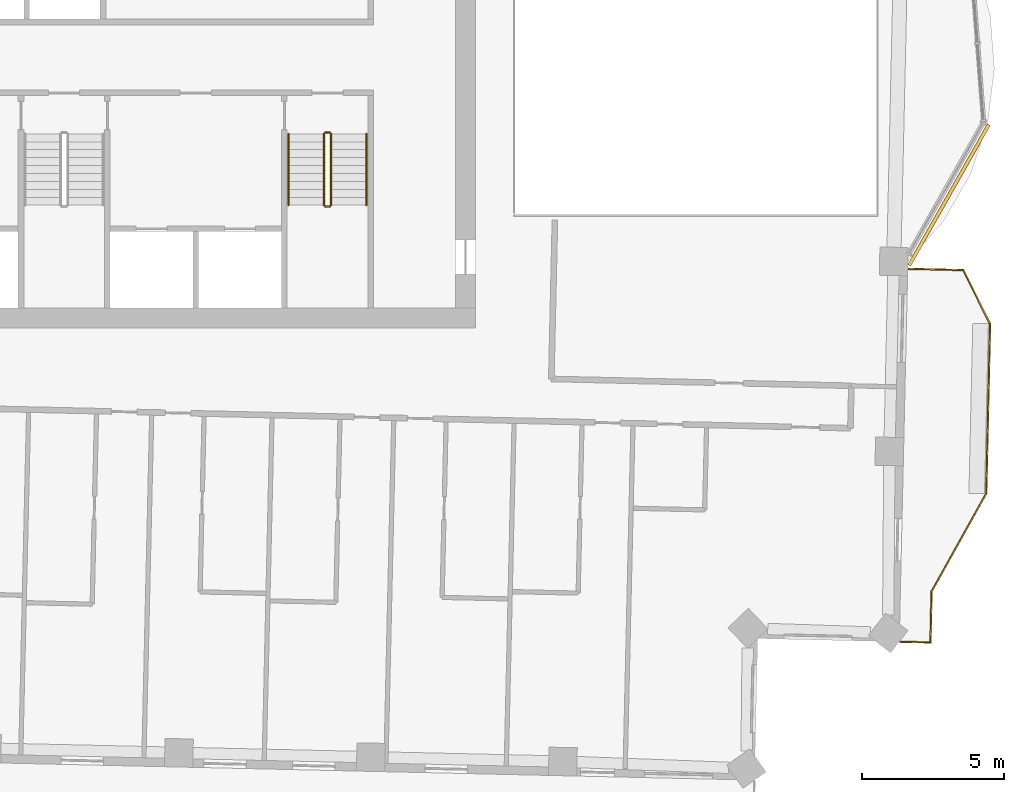
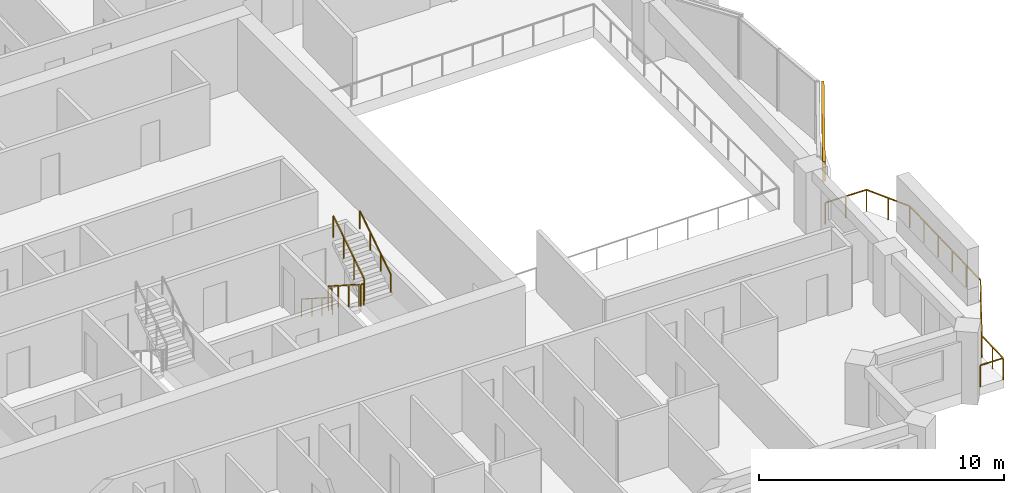
# One storey, part 16 of 17: 7 railings, 1 covering.
"""IFC4 building model written with IfcOpenShell, lengths in metres."""

from ifc_helpers import new_model, si_unit, direction, frame, frame_2d, origin, origin_2d, place, context, subcontext, project, spatial, rectangle, circle, extrude, material, layer, layer_set, type_object, element, save


model = new_model("IFC4")

# Units and contexts
model_context = context("Model", 3, precision=1e-05, world=origin(), true_north=direction((0.0, 1.0)))
body_context = subcontext(model_context, "Body", "Model", "MODEL_VIEW")
ifc_project = project(units=[si_unit("LENGTHUNIT", "METRE"), si_unit("AREAUNIT", "SQUARE_METRE"), si_unit("VOLUMEUNIT", "CUBIC_METRE"), si_unit("PLANEANGLEUNIT", "RADIAN"), si_unit("MASSUNIT", "GRAM", prefix="KILO")], contexts=[model_context])

# Site, building, storey
site_placement = place(None, origin())
site = spatial("IfcSite", under=ifc_project, at=site_placement, CompositionType="ELEMENT")
building_placement = place(site_placement, origin())
building = spatial("IfcBuilding", under=site, at=building_placement, Name="Mangrove Gate Tower", CompositionType="ELEMENT")
storey_placement = place(building_placement, frame((0.0, 0.0, 257.300048828125)))
storey = spatial("IfcBuildingStorey", under=building, at=storey_placement, Name="L65", CompositionType="ELEMENT", Elevation=257.300048828125)

# Railings
ifc_material_1 = material(Name="Stainless steel grade 316 with laminated glass infill", Category="steel")
railing_type_1 = type_object("IfcRailingType", Name="Balcony guard 1100", PredefinedType="GUARDRAIL", material=ifc_material_1)
railing_1_placement = place(storey_placement, frame((29.508056640625, -22.589111328125, 0.0)))
element("IfcRailing", 1, at=railing_1_placement, inside=storey, type_object=railing_type_1, Name="GUARD L65 E1", PredefinedType="GUARDRAIL", context=body_context, shape_type="SweptSolid", body=[
    extrude(rectangle(XDim=0.048095703125, YDim=0.048095703125, at=origin_2d()), frame((0.0, 0.0, 1.076171875), z_axis=(0.999745389313, -0.022564497502, 0.0), x_axis=(0.022564497502, 0.999745389313, 0.0)), (0.0, 0.0, 1.0), 1.060302734375),
    extrude(rectangle(XDim=0.048095703125, YDim=0.048095703125, at=origin_2d()), frame((1.06005859375, -0.02392578125, 1.076171875), z_axis=(0.02264440232, 0.999743582647, 0.0), x_axis=(-0.999743582647, 0.02264440232, 0.0)), (0.0, 0.0, 1.0), 1.800537109375),
    extrude(rectangle(XDim=0.048095703125, YDim=0.048095703125, at=origin_2d()), frame((1.100830078125, 1.776123046875, 1.076171875), z_axis=(0.487307108654, 0.873230657876, 0.0), x_axis=(-0.873230657876, 0.487307108654, 0.0)), (0.0, 0.0, 1.0), 3.958984375),
    extrude(rectangle(XDim=0.048095703125, YDim=0.048095703125, at=origin_2d()), frame((3.030029296875, 5.233154296875, 1.076171875), z_axis=(0.022662255828, 0.999743178102, 0.0), x_axis=(-0.999743178102, 0.022662255828, 0.0)), (0.0, 0.0, 1.0), 6.00048828125),
    extrude(rectangle(XDim=0.048095703125, YDim=0.048095703125, at=origin_2d()), frame((3.166015625, 11.232177734375, 1.076171875), z_axis=(-0.4472135955, 0.894427191, 0.0), x_axis=(-0.894427191, -0.4472135955, 0.0)), (0.0, 0.0, 1.0), 2.119873046875),
    extrude(rectangle(XDim=0.048095703125, YDim=0.048095703125, at=origin_2d()), frame((2.218017578125, 13.128173828125, 1.076171875), z_axis=(-0.999737947273, 0.022891849702, 0.0), x_axis=(-0.022891849702, -0.999737947273, 0.0)), (0.0, 0.0, 1.0), 1.919677734375),
    extrude(rectangle(XDim=0.0419921875, YDim=0.0419921875, at=origin_2d()), origin(), (0.0, 0.0, 1.0), 1.052001953125),
    extrude(rectangle(XDim=0.0419921875, YDim=0.0419921875, at=origin_2d()), frame((1.06005859375, -0.02392578125, 0.0)), (0.0, 0.0, 1.0), 1.052001953125),
    extrude(rectangle(XDim=0.0419921875, YDim=0.0419921875, at=origin_2d()), frame((1.08056640625, 0.8759765625, 0.0)), (0.0, 0.0, 1.0), 1.052001953125),
    extrude(rectangle(XDim=0.0419921875, YDim=0.0419921875, at=origin_2d()), frame((1.100830078125, 1.776123046875, 0.0)), (0.0, 0.0, 1.0), 1.052001953125),
    extrude(rectangle(XDim=0.0419921875, YDim=0.0419921875, at=origin_2d()), frame((1.743896484375, 2.928466796875, 0.0)), (0.0, 0.0, 1.0), 1.052001953125),
    extrude(rectangle(XDim=0.0419921875, YDim=0.0419921875, at=origin_2d()), frame((2.386962890625, 4.080810546875, 0.0)), (0.0, 0.0, 1.0), 1.052001953125),
    extrude(rectangle(XDim=0.0419921875, YDim=0.0419921875, at=origin_2d()), frame((3.030029296875, 5.233154296875, 0.0)), (0.0, 0.0, 1.0), 1.052001953125),
    extrude(rectangle(XDim=0.0419921875, YDim=0.0419921875, at=origin_2d()), frame((3.05712890625, 6.432861328125, 0.0)), (0.0, 0.0, 1.0), 1.052001953125),
    extrude(rectangle(XDim=0.0419921875, YDim=0.0419921875, at=origin_2d()), frame((3.08447265625, 7.6328125, 0.0)), (0.0, 0.0, 1.0), 1.052001953125),
    extrude(rectangle(XDim=0.0419921875, YDim=0.0419921875, at=origin_2d()), frame((3.111572265625, 8.83251953125, 0.0)), (0.0, 0.0, 1.0), 1.052001953125),
    extrude(rectangle(XDim=0.0419921875, YDim=0.0419921875, at=origin_2d()), frame((3.138916015625, 10.032470703125, 0.0)), (0.0, 0.0, 1.0), 1.052001953125),
    extrude(rectangle(XDim=0.0419921875, YDim=0.0419921875, at=origin_2d()), frame((3.166015625, 11.232177734375, 0.0)), (0.0, 0.0, 1.0), 1.052001953125),
    extrude(rectangle(XDim=0.0419921875, YDim=0.0419921875, at=origin_2d()), frame((2.69189453125, 12.18017578125, 0.0)), (0.0, 0.0, 1.0), 1.052001953125),
    extrude(rectangle(XDim=0.0419921875, YDim=0.0419921875, at=origin_2d()), frame((2.218017578125, 13.128173828125, 0.0)), (0.0, 0.0, 1.0), 1.052001953125),
    extrude(rectangle(XDim=0.0419921875, YDim=0.0419921875, at=origin_2d()), frame((1.25830078125, 13.150146484375, 0.0)), (0.0, 0.0, 1.0), 1.052001953125),
    extrude(rectangle(XDim=0.0419921875, YDim=0.0419921875, at=origin_2d()), frame((0.298828125, 13.172119140625, 0.0)), (0.0, 0.0, 1.0), 1.052001953125),
])
ifc_material_2 = material(Name="Stainless steel 316", Category="steel")
railing_type_2 = type_object("IfcRailingType", Name="Core stair guard 1100", PredefinedType="GUARDRAIL", material=ifc_material_2)
railing_2_placement = place(storey_placement, frame((9.14990234375, -4.64990234375, 0.179931640625)))
element("IfcRailing", 2, at=railing_2_placement, inside=storey, type_object=railing_type_2, Name="L65 ST3 stair guard 1", PredefinedType="GUARDRAIL", context=body_context, shape_type="SweptSolid", body=[
    extrude(rectangle(XDim=0.048095703125, YDim=0.048095703125, at=origin_2d()), frame((0.0, 0.0, 1.076171875), z_axis=(0.0, -0.841162588446, 0.540782303519), x_axis=(1.0, 0.0, 0.0)), (0.0, 0.0, 1.0), 2.995849609375),
    extrude(rectangle(XDim=0.0419921875, YDim=0.0419921875, at=origin_2d()), origin(), (0.0, 0.0, 1.0), 1.052001953125),
    extrude(rectangle(XDim=0.0419921875, YDim=0.0419921875, at=origin_2d()), frame((0.0, -0.840087890625, 0.5400390625)), (0.0, 0.0, 1.0), 1.052001953125),
    extrude(rectangle(XDim=0.0419921875, YDim=0.0419921875, at=origin_2d()), frame((0.0, -1.679931640625, 1.080078125)), (0.0, 0.0, 1.0), 1.052001953125),
    extrude(rectangle(XDim=0.0419921875, YDim=0.0419921875, at=origin_2d()), frame((0.0, -2.52001953125, 1.6201171875)), (0.0, 0.0, 1.0), 1.052001953125),
])
railing_3_placement = place(storey_placement, frame((9.199951171875, -7.219970703125, 1.800048828125)))
element("IfcRailing", 3, at=railing_3_placement, inside=storey, type_object=railing_type_2, Name="L65 ST3 stair guard 2", PredefinedType="GUARDRAIL", context=body_context, shape_type="SweptSolid", body=[
    extrude(rectangle(XDim=0.048095703125, YDim=0.048095703125, at=origin_2d()), frame((0.0, 0.0, 1.076171875), z_axis=(1.0, 0.0, 0.0), x_axis=(0.0, 1.0, 0.0)), (0.0, 0.0, 1.0), 0.150146484375),
    extrude(rectangle(XDim=0.0419921875, YDim=0.0419921875, at=origin_2d()), origin(), (0.0, 0.0, 1.0), 1.052001953125),
    extrude(rectangle(XDim=0.0419921875, YDim=0.0419921875, at=origin_2d()), frame((0.150146484375, 0.0, 0.0)), (0.0, 0.0, 1.0), 1.052001953125),
])
railing_4_placement = place(storey_placement, frame((9.39990234375, -7.169921875, 1.97998046875)))
element("IfcRailing", 4, at=railing_4_placement, inside=storey, type_object=railing_type_2, Name="L65 ST3 stair guard 3", PredefinedType="GUARDRAIL", context=body_context, shape_type="SweptSolid", body=[
    extrude(rectangle(XDim=0.048095703125, YDim=0.048095703125, at=origin_2d()), frame((0.0, 0.0, 1.076171875), z_axis=(0.0, 0.841199657755, 0.540724639528), x_axis=(-1.0, 0.0, 0.0)), (0.0, 0.0, 1.0), 2.995849609375),
    extrude(rectangle(XDim=0.0419921875, YDim=0.0419921875, at=origin_2d()), origin(), (0.0, 0.0, 1.0), 1.052001953125),
    extrude(rectangle(XDim=0.0419921875, YDim=0.0419921875, at=origin_2d()), frame((0.0, 0.840087890625, 0.5400390625)), (0.0, 0.0, 1.0), 1.052001953125),
    extrude(rectangle(XDim=0.0419921875, YDim=0.0419921875, at=origin_2d()), frame((0.0, 1.679931640625, 1.079833984375)), (0.0, 0.0, 1.0), 1.052001953125),
    extrude(rectangle(XDim=0.0419921875, YDim=0.0419921875, at=origin_2d()), frame((0.0, 2.52001953125, 1.619873046875)), (0.0, 0.0, 1.0), 1.052001953125),
])
railing_5_placement = place(storey_placement, frame((9.199951171875, -4.60009765625, 0.0)))
element("IfcRailing", 5, at=railing_5_placement, inside=storey, type_object=railing_type_2, Name="L65 ST3 stair guard 4", PredefinedType="GUARDRAIL", context=body_context, shape_type="SweptSolid", body=[
    extrude(rectangle(XDim=0.048095703125, YDim=0.048095703125, at=origin_2d()), frame((0.0, 0.0, 1.076171875), z_axis=(1.0, 0.0, 0.0), x_axis=(0.0, 1.0, 0.0)), (0.0, 0.0, 1.0), 0.150146484375),
    extrude(rectangle(XDim=0.0419921875, YDim=0.0419921875, at=origin_2d()), origin(), (0.0, 0.0, 1.0), 1.052001953125),
    extrude(rectangle(XDim=0.0419921875, YDim=0.0419921875, at=origin_2d()), frame((0.150146484375, 0.0, 0.0)), (0.0, 0.0, 1.0), 1.052001953125),
])
ifc_material_3 = material(Name="Stainless steel 316", Category="steel")
railing_type_3 = type_object("IfcRailingType", Name="Core stair handrail 900", PredefinedType="HANDRAIL", material=ifc_material_3)
railing_6_placement = place(storey_placement, frame((7.89990234375, -4.64990234375, 0.179931640625)))
element("IfcRailing", 6, at=railing_6_placement, inside=storey, type_object=railing_type_3, Name="L65 ST3 stair handrail 1", PredefinedType="HANDRAIL", context=body_context, shape_type="SweptSolid", body=[
    extrude(circle(Radius=0.02392578125, at=origin_2d()), frame((0.0, 0.0, 0.8759765625), z_axis=(0.0, -0.841162588446, 0.540782303519), x_axis=(1.0, 0.0, 0.0)), (0.0, 0.0, 1.0), 2.995849609375),
    extrude(circle(Radius=0.02099609375, at=origin_2d()), origin(), (0.0, 0.0, 1.0), 0.851806640625),
    extrude(circle(Radius=0.02099609375, at=origin_2d()), frame((0.0, -0.840087890625, 0.5400390625)), (0.0, 0.0, 1.0), 0.851806640625),
    extrude(circle(Radius=0.02099609375, at=origin_2d()), frame((0.0, -1.679931640625, 1.080078125)), (0.0, 0.0, 1.0), 0.851806640625),
    extrude(circle(Radius=0.02099609375, at=origin_2d()), frame((0.0, -2.52001953125, 1.6201171875)), (0.0, 0.0, 1.0), 0.851806640625),
])
railing_7_placement = place(storey_placement, frame((10.64990234375, -7.169921875, 1.97998046875)))
element("IfcRailing", 7, at=railing_7_placement, inside=storey, type_object=railing_type_3, Name="L65 ST3 stair handrail 2", PredefinedType="HANDRAIL", context=body_context, shape_type="SweptSolid", body=[
    extrude(circle(Radius=0.02392578125, at=origin_2d()), frame((0.0, 0.0, 0.8759765625), z_axis=(0.0, 0.841199657755, 0.540724639528), x_axis=(-1.0, 0.0, 0.0)), (0.0, 0.0, 1.0), 2.995849609375),
    extrude(circle(Radius=0.02099609375, at=origin_2d()), origin(), (0.0, 0.0, 1.0), 0.851806640625),
    extrude(circle(Radius=0.02099609375, at=origin_2d()), frame((0.0, 0.840087890625, 0.5400390625)), (0.0, 0.0, 1.0), 0.851806640625),
    extrude(circle(Radius=0.02099609375, at=origin_2d()), frame((0.0, 1.679931640625, 1.079833984375)), (0.0, 0.0, 1.0), 0.851806640625),
    extrude(circle(Radius=0.02099609375, at=origin_2d()), frame((0.0, 2.52001953125, 1.619873046875)), (0.0, 0.0, 1.0), 0.851806640625),
])

# Covering
ifc_material_4 = material(Name="Limestone", Category="masonry")
ifc_layer_1 = layer(ifc_material_4, 0.0400390625, Name="Limestone cladding")
ifc_material_5 = material(Name="Stainless steel anchors and cavity", Category="steel")
ifc_layer_2 = layer(ifc_material_5, 0.080078125, Name="Fixing cavity")
ifc_layer_set = layer_set([ifc_layer_1, ifc_layer_2], Name="Joint fascia cladding 120")
covering_type = type_object("IfcCoveringType", Name="Joint fascia cladding 120", PredefinedType="CLADDING", material=ifc_layer_set)
covering_placement = place(storey_placement, frame((29.820068359375, -9.29296875, 2.050048828125), z_axis=(0.0, 0.0, 1.0), x_axis=(0.492443523438, 0.870344400926, 0.0)))
element("IfcCovering", 8, at=covering_placement, inside=storey, type_object=covering_type, Name="STONE FASCIA L65 E1.L1", PredefinedType="CLADDING", context=body_context, shape_type="SweptSolid", body=[
    extrude(rectangle(XDim=5.705810546875, YDim=0.1201171875, at=frame_2d((2.85302734375, 0.0))), origin(), (0.0, 0.0, 1.0), 1.0),
])

save(model, "model.ifc")
